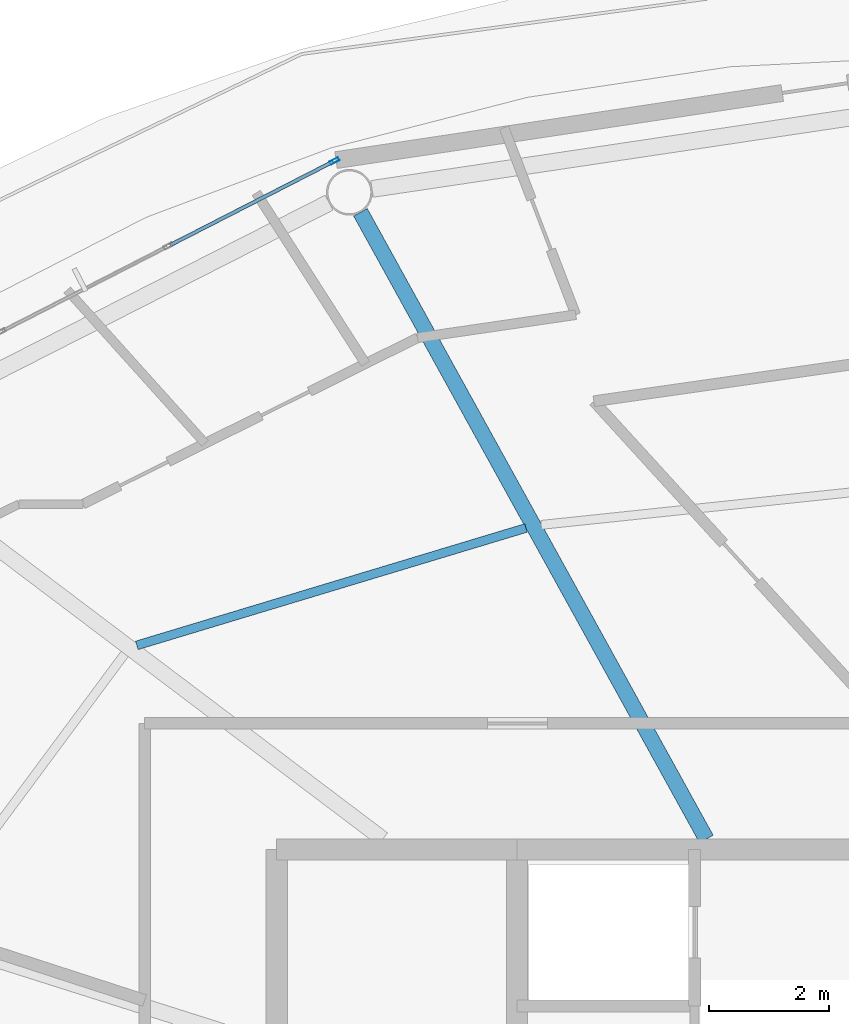
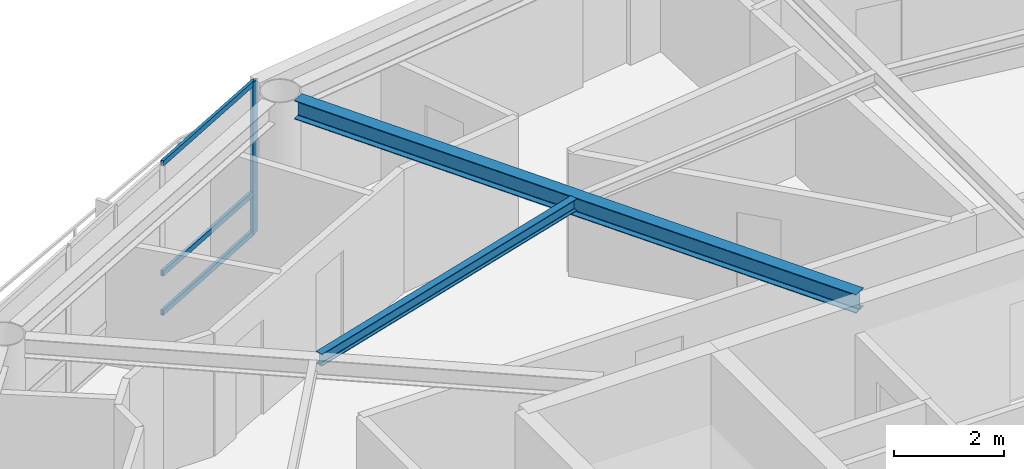
# One storey, part 9 of 22: 4 members, 2 beams, 1 element without a shape of its own.
"""IFC4 building model written with IfcOpenShell, lengths in metres."""

from ifc_helpers import new_model, si_unit, direction, frame, origin, origin_2d, place, context, subcontext, project, spatial, hollow_rectangle, i_section, extrude, material, layer, layer_set, material_profile, profile_set, type_object, element, aggregate, save


model = new_model("IFC4")

# Units and contexts
model_context = context("Model", 3, precision=1e-05, world=origin(), true_north=direction((0.0, 1.0)))
body_context = subcontext(model_context, "Body", "Model", "MODEL_VIEW")
ifc_project = project(units=[si_unit("LENGTHUNIT", "METRE"), si_unit("AREAUNIT", "SQUARE_METRE"), si_unit("VOLUMEUNIT", "CUBIC_METRE"), si_unit("PLANEANGLEUNIT", "RADIAN"), si_unit("MASSUNIT", "GRAM", prefix="KILO")], contexts=[model_context])

# Site, building, storey
site_placement = place(None, origin())
site = spatial("IfcSite", under=ifc_project, at=site_placement, CompositionType="ELEMENT")
building_placement = place(site_placement, origin())
building = spatial("IfcBuilding", under=site, at=building_placement, Name="Sarneth Arch Tower", CompositionType="ELEMENT")
storey_placement = place(building_placement, frame((0.0, 0.0, 283.800048828125)))
storey = spatial("IfcBuildingStorey", under=building, at=storey_placement, Name="L73", CompositionType="ELEMENT", Elevation=283.800048828125)

# Beams
ifc_material_1 = material(Name="Steel S355", Category="steel")
ifc_material_profile_1 = material_profile(ifc_material_1, i_section(OverallWidth=0.14794921875, OverallDepth=0.26611328125, WebThickness=0.007568359375, FlangeThickness=0.012939453125, FilletRadius=0.012939453125, at=origin_2d()), Name="W250x44.8")
ifc_profile_set_1 = profile_set([ifc_material_profile_1], Name="Steel S355")
beam_type_1 = type_object("IfcBeamType", Name="BM-JOIST-250", PredefinedType="JOIST", material=ifc_profile_set_1)
beam_1_placement = place(storey_placement, frame((41.147216796875, 54.15234375, 3.237060546875), z_axis=(-0.957373106971, -0.288854174367, 0.0), x_axis=(0.288854174367, -0.957373106971, 0.0)))
element("IfcBeam", 1, at=beam_1_placement, inside=storey, type_object=beam_type_1, Name="L73 Secondary floor joist 06", PredefinedType="JOIST", context=body_context, shape_type="SweptSolid", body=[
    extrude(i_section(OverallWidth=0.14794921875, OverallDepth=0.26611328125, WebThickness=0.007568359375, FlangeThickness=0.012939453125, FilletRadius=0.012939453125, at=origin_2d()), origin(), (0.0, 0.0, 1.0), 6.76416015625),
])
ifc_material_2 = material(Name="Steel S355", Category="steel")
ifc_material_profile_2 = material_profile(ifc_material_2, i_section(OverallWidth=0.260009765625, OverallDepth=0.4150390625, WebThickness=0.010009765625, FlangeThickness=0.016845703125, FilletRadius=0.01611328125, at=origin_2d()), Name="W410x100")
ifc_profile_set_2 = profile_set([ifc_material_profile_2], Name="Steel S355")
beam_type_2 = type_object("IfcBeamType", Name="BM-RAD-410A", PredefinedType="BEAM", material=ifc_profile_set_2)
beam_2_placement = place(storey_placement, frame((44.150146484375, 48.97509765625, 3.162353515625), z_axis=(-0.483231193732, 0.875492783182, 0.0), x_axis=(-0.875492783182, -0.483231193732, 0.0)))
element("IfcBeam", 2, at=beam_2_placement, inside=storey, type_object=beam_type_2, Name="L73 Radial floor girder 06", PredefinedType="BEAM", context=body_context, shape_type="SweptSolid", body=[
    extrude(i_section(OverallWidth=0.260009765625, OverallDepth=0.4150390625, WebThickness=0.010009765625, FlangeThickness=0.016845703125, FilletRadius=0.01611328125, at=origin_2d()), origin(), (0.0, 0.0, 1.0), 11.913330078125),
])

# Curtain wall, members
ifc_material_3 = material(Name="Anodised aluminium Type AA25 and solar-control low-e laminated IGU", Category="aluminium")
ifc_layer = layer(ifc_material_3, 0.179931640625)
ifc_layer_set = layer_set([ifc_layer], Name="Anodised aluminium Type AA25 and solar-control low-e laminated IGU")
curtain_wall_type = type_object("IfcCurtainWallType", Name="CW-RES-HIGH", PredefinedType="NOTDEFINED", material=ifc_layer_set)
curtain_wall_placement = place(storey_placement, origin())
curtain_wall = element("IfcCurtainWall", 3, at=curtain_wall_placement, inside=storey, type_object=curtain_wall_type, Name="L73 Unitised curtain wall facet 06", PredefinedType="NOTDEFINED")
ifc_material_4 = material(Name="Anodised Aluminium 6063-T6", Category="aluminium")
ifc_material_profile_3 = material_profile(ifc_material_4, hollow_rectangle(XDim=0.06005859375, YDim=0.159912109375, WallThickness=0.00390625, at=origin_2d()), Name="AL-MULL-160x60x4")
ifc_profile_set_3 = profile_set([ifc_material_profile_3], Name="Anodised Aluminium 6063-T6")
member_type_1 = type_object("IfcMemberType", Name="CW-MULLION", PredefinedType="MULLION", material=ifc_profile_set_3)
member_1_placement = place(storey_placement, frame((37.960693359375, 60.2607421875, 0.0), z_axis=(0.0, 0.0, 1.0), x_axis=(0.455941901753, -0.890009540525, 0.0)))
member_1 = element("IfcMember", 4, at=member_1_placement, type_object=member_type_1, Name="CW-SYS-6 mullion 1", PredefinedType="MULLION", context=body_context, shape_type="SweptSolid", body=[
    extrude(hollow_rectangle(XDim=0.06005859375, YDim=0.159912109375, WallThickness=0.00390625, at=origin_2d()), origin(), (0.0, 0.0, 1.0), 3.369873046875),
])
ifc_material_5 = material(Name="Anodised Aluminium 6063-T6", Category="aluminium")
ifc_material_profile_4 = material_profile(ifc_material_5, hollow_rectangle(XDim=0.06005859375, YDim=0.1201171875, WallThickness=0.00390625, at=origin_2d()), Name="AL-TRAN-120x60x4")
ifc_profile_set_4 = profile_set([ifc_material_profile_4], Name="Anodised Aluminium 6063-T6")
member_type_2 = type_object("IfcMemberType", Name="CW-TRANSOM", PredefinedType="USERDEFINED", material=ifc_profile_set_4)
member_2_placement = place(storey_placement, frame((37.933837890625, 60.2470703125, 0.030029296875), z_axis=(-0.889973523166, -0.456012201662, 0.0), x_axis=(0.456012201662, -0.889973523166, 0.0)))
member_2 = element("IfcMember", 5, at=member_2_placement, type_object=member_type_2, Name="CW-SYS-6 transom 1.1", ObjectType="TRANSOM", PredefinedType="USERDEFINED", context=body_context, shape_type="SweptSolid", body=[
    extrude(hollow_rectangle(XDim=0.06005859375, YDim=0.1201171875, WallThickness=0.00390625, at=origin_2d()), origin(), (0.0, 0.0, 1.0), 3.044677734375),
])
member_3_placement = place(storey_placement, frame((37.933837890625, 60.2470703125, 0.89990234375), z_axis=(-0.889973523166, -0.456012201662, 0.0), x_axis=(0.456012201662, -0.889973523166, 0.0)))
member_3 = element("IfcMember", 6, at=member_3_placement, type_object=member_type_2, Name="CW-SYS-6 transom 1.2", ObjectType="TRANSOM", PredefinedType="USERDEFINED", context=body_context, shape_type="SweptSolid", body=[
    extrude(hollow_rectangle(XDim=0.06005859375, YDim=0.1201171875, WallThickness=0.00390625, at=origin_2d()), origin(), (0.0, 0.0, 1.0), 3.044677734375),
])
member_4_placement = place(storey_placement, frame((37.933837890625, 60.2470703125, 3.33984375), z_axis=(-0.889973523166, -0.456012201662, 0.0), x_axis=(0.456012201662, -0.889973523166, 0.0)))
member_4 = element("IfcMember", 7, at=member_4_placement, type_object=member_type_2, Name="CW-SYS-6 transom 1.3", ObjectType="TRANSOM", PredefinedType="USERDEFINED", context=body_context, shape_type="SweptSolid", body=[
    extrude(hollow_rectangle(XDim=0.06005859375, YDim=0.1201171875, WallThickness=0.00390625, at=origin_2d()), origin(), (0.0, 0.0, 1.0), 3.044677734375),
])
aggregate(curtain_wall, [member_1, member_2, member_3, member_4])

save(model, "model.ifc")
